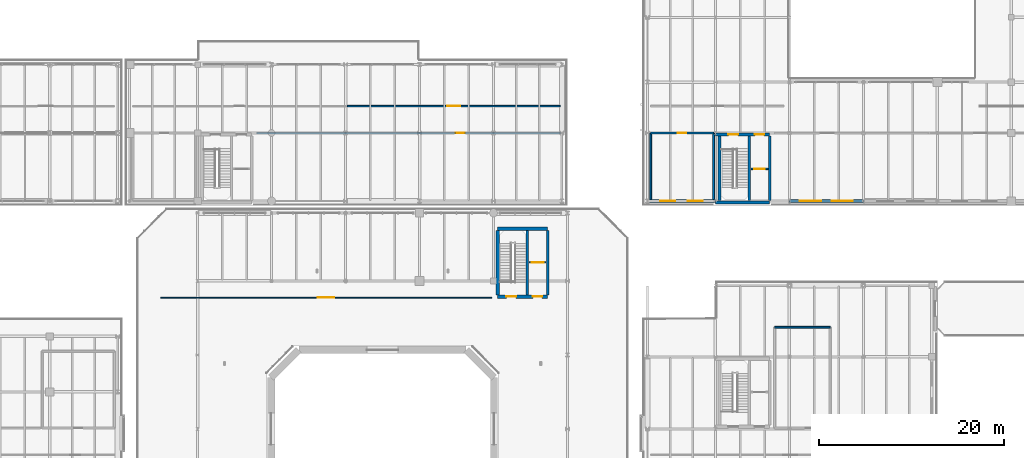
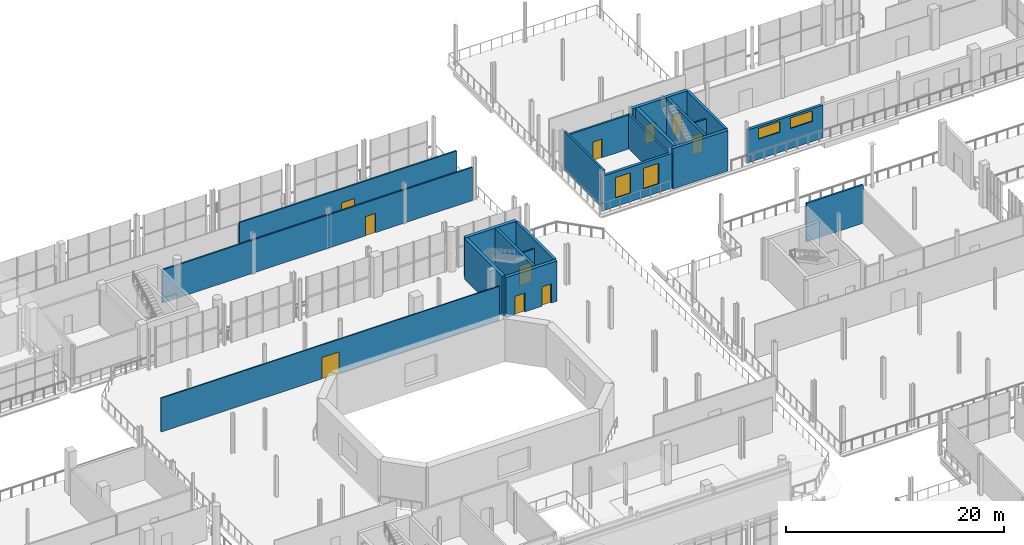
# One storey, part 73 of 93: 21 walls, 10 doors, 4 windows, 14 openings.
"""IFC4 building model written with IfcOpenShell, lengths in metres."""

from ifc_helpers import new_model, si_unit, direction, frame, frame_2d, origin, place, context, subcontext, project, spatial, rectangle, extrude, material, layer, layer_set, type_object, element, fill, save


model = new_model("IFC4")

# Units and contexts
model_context = context("Model", 3, precision=1e-05, world=origin(), true_north=direction((0.0, 1.0)))
body_context = subcontext(model_context, "Body", "Model", "MODEL_VIEW")
ifc_project = project(units=[si_unit("LENGTHUNIT", "METRE"), si_unit("AREAUNIT", "SQUARE_METRE"), si_unit("VOLUMEUNIT", "CUBIC_METRE"), si_unit("PLANEANGLEUNIT", "RADIAN"), si_unit("MASSUNIT", "GRAM", prefix="KILO")], contexts=[model_context])

# Site, building, storey
site_placement = place(None, origin())
site = spatial("IfcSite", under=ifc_project, at=site_placement, CompositionType="ELEMENT")
building_placement = place(site_placement, origin())
building = spatial("IfcBuilding", under=site, at=building_placement, Name="Brisemont Oceanarium", CompositionType="ELEMENT")
storey_placement = place(building_placement, frame((0.0, 0.0, 5.39990234375)))
storey = spatial("IfcBuildingStorey", under=building, at=storey_placement, Name="L01", CompositionType="ELEMENT", Elevation=5.39990234375)

# Wall, openings, windows
ifc_material_1 = material(Name="Beaux-Arts Limestone Cladding Precast Concrete C40/50", Category="masonry")
ifc_layer_1 = layer(ifc_material_1, 0.280029296875)
ifc_layer_set_1 = layer_set([ifc_layer_1], Name="Beaux-Arts Limestone Cladding Precast Concrete C40/50")
wall_type_1 = type_object("IfcWallType", Name="EW-LIME-280", PredefinedType="STANDARD", material=ifc_layer_set_1)
wall_1_placement = place(storey_placement, frame((112.64990234375, 80.64990234375, 0.0), z_axis=(0.0, 0.0, 1.0), x_axis=(1.0, 0.0, 0.0)))
wall_1 = element("IfcWall", 1, at=wall_1_placement, inside=storey, type_object=wall_type_1, Name="Beaux-Arts exterior wall EW-V6S-L01-1", PredefinedType="STANDARD", context=body_context, shape_type="SweptSolid", body=[
    extrude(rectangle(XDim=7.35009765625, YDim=0.280029296875, at=frame_2d((3.675048828125, 0.0))), origin(), (0.0, 0.0, 1.0), 3.8720703125),
])
opening_1_placement = place(wall_1_placement, frame((1.38330078125, 0.0, 0.949951171875)))
opening_1 = element("IfcOpeningElement", 2, at=opening_1_placement, cuts=wall_1, Name="Opening WIN-05", PredefinedType="OPENING", context=body_context, shape_type="SweptSolid", body=[
    extrude(rectangle(XDim=1.60009765625, YDim=2.300048828125, at=frame_2d((0.800048828125, 1.14990234375))), frame((0.0, 0.14990234375, 0.0), z_axis=(0.0, -1.0, 0.0), x_axis=(1.0, 0.0, 0.0)), (0.0, 0.0, 1.0), 0.300048828125),
])
opening_2_placement = place(wall_1_placement, frame((4.36669921875, 0.0, 0.949951171875)))
opening_2 = element("IfcOpeningElement", 3, at=opening_2_placement, cuts=wall_1, Name="Opening WIN-05", PredefinedType="OPENING", context=body_context, shape_type="SweptSolid", body=[
    extrude(rectangle(XDim=1.60009765625, YDim=2.300048828125, at=frame_2d((0.800048828125, 1.14990234375))), frame((0.0, 0.14990234375, 0.0), z_axis=(0.0, -1.0, 0.0), x_axis=(1.0, 0.0, 0.0)), (0.0, 0.0, 1.0), 0.300048828125),
])
ifc_material_2 = material(Name="Insulated Low-E Laminated Glass", Category="glass")
window_type_1 = type_object("IfcWindowType", Name="WIN-BA-1600X2300", PartitioningType="SINGLE_PANEL", PredefinedType="WINDOW", material=ifc_material_2)
window_1_placement = place(opening_1_placement, origin())
window_1 = element("IfcWindow", 4, at=window_1_placement, inside=storey, type_object=window_type_1, Name="WIN-05 facade window 59", OverallHeight=2.300048828125, OverallWidth=1.60009765625, PartitioningType="SINGLE_PANEL", PredefinedType="WINDOW", context=body_context, shape_type="SweptSolid", body=[
    extrude(rectangle(XDim=1.60009765625, YDim=2.300048828125, at=frame_2d((0.800048828125, 1.14990234375))), frame((0.0, 0.030029296875, 0.0), z_axis=(0.0, -1.0, 0.0), x_axis=(1.0, 0.0, 0.0)), (0.0, 0.0, 1.0), 0.06005859375),
])
fill(opening_1, window_1)
window_2_placement = place(opening_2_placement, origin())
window_2 = element("IfcWindow", 5, at=window_2_placement, inside=storey, type_object=window_type_1, Name="WIN-05 facade window 60", OverallHeight=2.300048828125, OverallWidth=1.60009765625, PartitioningType="SINGLE_PANEL", PredefinedType="WINDOW", context=body_context, shape_type="SweptSolid", body=[
    extrude(rectangle(XDim=1.60009765625, YDim=2.300048828125, at=frame_2d((0.800048828125, 1.14990234375))), frame((0.0, 0.030029296875, 0.0), z_axis=(0.0, -1.0, 0.0), x_axis=(1.0, 0.0, 0.0)), (0.0, 0.0, 1.0), 0.06005859375),
])
fill(opening_2, window_2)

wall_2_placement = place(storey_placement, frame((128.0, 80.64990234375, 0.0), z_axis=(0.0, 0.0, 1.0), x_axis=(1.0, 0.0, 0.0)))
wall_2 = element("IfcWall", 6, at=wall_2_placement, inside=storey, type_object=wall_type_1, Name="Beaux-Arts exterior wall EW-V6S-L01-3", PredefinedType="STANDARD", context=body_context, shape_type="SweptSolid", body=[
    extrude(rectangle(XDim=8.0, YDim=0.280029296875, at=frame_2d((4.0, 0.0))), origin(), (0.0, 0.0, 1.0), 3.68017578125),
])
opening_3_placement = place(wall_2_placement, frame((1.13330078125, 0.0, 2.25)))
opening_3 = element("IfcOpeningElement", 7, at=opening_3_placement, cuts=wall_2, Name="Opening WIN-13", PredefinedType="OPENING", context=body_context, shape_type="SweptSolid", body=[
    extrude(rectangle(XDim=2.300048828125, YDim=1.199951171875, at=frame_2d((1.14990234375, 0.60009765625))), frame((0.0, 0.14990234375, 0.0), z_axis=(0.0, -1.0, 0.0), x_axis=(1.0, 0.0, 0.0)), (0.0, 0.0, 1.0), 0.300048828125),
])
opening_4_placement = place(wall_2_placement, frame((4.566650390625, 0.0, 2.25)))
opening_4 = element("IfcOpeningElement", 8, at=opening_4_placement, cuts=wall_2, Name="Opening WIN-13", PredefinedType="OPENING", context=body_context, shape_type="SweptSolid", body=[
    extrude(rectangle(XDim=2.300048828125, YDim=1.199951171875, at=frame_2d((1.14990234375, 0.60009765625))), frame((0.0, 0.14990234375, 0.0), z_axis=(0.0, -1.0, 0.0), x_axis=(1.0, 0.0, 0.0)), (0.0, 0.0, 1.0), 0.300048828125),
])
ifc_material_3 = material(Name="Insulated Low-E Laminated Glass", Category="glass")
window_type_2 = type_object("IfcWindowType", Name="WIN-CLR-2300X1200", PartitioningType="SINGLE_PANEL", PredefinedType="WINDOW", material=ifc_material_3)
window_3_placement = place(opening_3_placement, origin())
window_3 = element("IfcWindow", 9, at=window_3_placement, inside=storey, type_object=window_type_2, Name="WIN-13 facade window 67", OverallHeight=1.199951171875, OverallWidth=2.300048828125, PartitioningType="SINGLE_PANEL", PredefinedType="WINDOW", context=body_context, shape_type="SweptSolid", body=[
    extrude(rectangle(XDim=2.300048828125, YDim=1.199951171875, at=frame_2d((1.14990234375, 0.60009765625))), frame((0.0, 0.030029296875, 0.0), z_axis=(0.0, -1.0, 0.0), x_axis=(1.0, 0.0, 0.0)), (0.0, 0.0, 1.0), 0.06005859375),
])
fill(opening_3, window_3)
window_4_placement = place(opening_4_placement, origin())
window_4 = element("IfcWindow", 10, at=window_4_placement, inside=storey, type_object=window_type_2, Name="WIN-13 facade window 68", OverallHeight=1.199951171875, OverallWidth=2.300048828125, PartitioningType="SINGLE_PANEL", PredefinedType="WINDOW", context=body_context, shape_type="SweptSolid", body=[
    extrude(rectangle(XDim=2.300048828125, YDim=1.199951171875, at=frame_2d((1.14990234375, 0.60009765625))), frame((0.0, 0.030029296875, 0.0), z_axis=(0.0, -1.0, 0.0), x_axis=(1.0, 0.0, 0.0)), (0.0, 0.0, 1.0), 0.06005859375),
])
fill(opening_4, window_4)

# Wall, opening, door
ifc_material_4 = material(Name="Moisture-Resistant Gypsum Steel-Stud Partition", Category="steel")
ifc_layer_2 = layer(ifc_material_4, 0.159912109375)
ifc_layer_set_2 = layer_set([ifc_layer_2], Name="Moisture-Resistant Gypsum Steel-Stud Partition")
wall_type_2 = type_object("IfcWallType", Name="IW-FB-160", PredefinedType="PARTITIONING", material=ifc_layer_set_2)
wall_3_placement = place(storey_placement, frame((99.85009765625, 74.02001953125, 0.0), z_axis=(0.0, 0.0, 1.0), x_axis=(1.0, 0.0, 0.0)))
wall_3 = element("IfcWall", 11, at=wall_3_placement, inside=storey, type_object=wall_type_2, Name="Core C2 L01 lift hoistway front wall", PredefinedType="PARTITIONING", context=body_context, shape_type="SweptSolid", body=[
    extrude(rectangle(XDim=1.83984375, YDim=0.159912109375, at=frame_2d((0.919921875, 0.0))), origin(), (0.0, 0.0, 1.0), 3.60009765625),
])
opening_5_placement = place(wall_3_placement, frame((0.27001953125, 0.0, 0.0)))
opening_5 = element("IfcOpeningElement", 12, at=opening_5_placement, cuts=wall_3, Name="Opening LD-02", PredefinedType="OPENING", context=body_context, shape_type="SweptSolid", body=[
    extrude(rectangle(XDim=1.300048828125, YDim=2.199951171875, at=frame_2d((0.64990234375, 1.10009765625))), frame((0.0, 0.08984375, 0.0), z_axis=(0.0, -1.0, 0.0), x_axis=(1.0, 0.0, 0.0)), (0.0, 0.0, 1.0), 0.179931640625),
])
ifc_material_5 = material(Name="Duplex Stainless Steel EN 1.4462", Category="steel")
door_type_1 = type_object("IfcDoorType", Name="DR-LIFT-1300X2200", OperationType="NOTDEFINED", PredefinedType="DOOR", material=ifc_material_5)
door_1_placement = place(opening_5_placement, origin())
door_1 = element("IfcDoor", 13, at=door_1_placement, inside=storey, type_object=door_type_1, Name="Lift landing door LF-02 L01", OperationType="SLIDING_TO_LEFT", OverallHeight=2.199951171875, OverallWidth=1.300048828125, PredefinedType="DOOR", context=body_context, shape_type="SweptSolid", body=[
    extrude(rectangle(XDim=1.300048828125, YDim=2.199951171875, at=frame_2d((0.64990234375, 1.10009765625))), frame((0.0, 0.02490234375, 0.0), z_axis=(0.0, -1.0, 0.0), x_axis=(1.0, 0.0, 0.0)), (0.0, 0.0, 1.0), 0.050048828125),
])
fill(opening_5, door_1)

wall_4_placement = place(storey_placement, frame((123.85009765625, 84.1298828125, 0.0), z_axis=(0.0, 0.0, 1.0), x_axis=(1.0, 0.0, 0.0)))
wall_4 = element("IfcWall", 14, at=wall_4_placement, inside=storey, type_object=wall_type_2, Name="Core C7 L01 lift hoistway front wall", PredefinedType="PARTITIONING", context=body_context, shape_type="SweptSolid", body=[
    extrude(rectangle(XDim=1.83984375, YDim=0.159912109375, at=frame_2d((0.919921875, 0.0))), origin(), (0.0, 0.0, 1.0), 3.60009765625),
])
opening_6_placement = place(wall_4_placement, frame((0.3701171875, 0.0, 0.0)))
opening_6 = element("IfcOpeningElement", 15, at=opening_6_placement, cuts=wall_4, Name="Opening LD-01", PredefinedType="OPENING", context=body_context, shape_type="SweptSolid", body=[
    extrude(rectangle(XDim=1.10009765625, YDim=2.14990234375, at=frame_2d((0.550048828125, 1.074951171875))), frame((0.0, 0.08984375, 0.0), z_axis=(0.0, -1.0, 0.0), x_axis=(1.0, 0.0, 0.0)), (0.0, 0.0, 1.0), 0.179931640625),
])
ifc_material_6 = material(Name="Duplex Stainless Steel EN 1.4462", Category="steel")
door_type_2 = type_object("IfcDoorType", Name="DR-LIFT-1100X2150", OperationType="NOTDEFINED", PredefinedType="DOOR", material=ifc_material_6)
door_2_placement = place(opening_6_placement, origin())
door_2 = element("IfcDoor", 16, at=door_2_placement, inside=storey, type_object=door_type_2, Name="Lift landing door LF-07 L01", OperationType="SLIDING_TO_LEFT", OverallHeight=2.14990234375, OverallWidth=1.10009765625, PredefinedType="DOOR", context=body_context, shape_type="SweptSolid", body=[
    extrude(rectangle(XDim=1.10009765625, YDim=2.14990234375, at=frame_2d((0.550048828125, 1.074951171875))), frame((0.0, 0.02490234375, 0.0), z_axis=(0.0, -1.0, 0.0), x_axis=(1.0, 0.0, 0.0)), (0.0, 0.0, 1.0), 0.050048828125),
])
fill(opening_6, door_2)

wall_5_placement = place(storey_placement, frame((70.39990234375, 88.0, 0.0), z_axis=(0.0, 0.0, 1.0), x_axis=(1.0, 0.0, 0.0)))
wall_5 = element("IfcWall", 17, at=wall_5_placement, inside=storey, type_object=wall_type_2, Name="Life Support Gravity Head Tank Hall corridor partition", PredefinedType="PARTITIONING", context=body_context, shape_type="SweptSolid", body=[
    extrude(rectangle(XDim=32.800048828125, YDim=0.159912109375, at=frame_2d((16.39990234375, 0.0))), origin(), (0.0, 0.0, 1.0), 3.718017578125),
])
opening_7_placement = place(wall_5_placement, frame((21.4951171875, 0.0, 0.0)))
opening_7 = element("IfcOpeningElement", 18, at=opening_7_placement, cuts=wall_5, Name="Opening D-01", PredefinedType="OPENING", context=body_context, shape_type="SweptSolid", body=[
    extrude(rectangle(XDim=1.02001953125, YDim=2.14990234375, at=frame_2d((0.510009765625, 1.074951171875))), frame((0.0, 0.08984375, 0.0), z_axis=(0.0, -1.0, 0.0), x_axis=(1.0, 0.0, 0.0)), (0.0, 0.0, 1.0), 0.179931640625),
])
ifc_material_7 = material(Name="FSC White Oak Solid-Core Fire Door")
door_type_3 = type_object("IfcDoorType", Name="DR-RM-1020X2150", OperationType="NOTDEFINED", PredefinedType="DOOR", material=ifc_material_7)
door_3_placement = place(opening_7_placement, origin())
door_3 = element("IfcDoor", 19, at=door_3_placement, inside=storey, type_object=door_type_3, Name="D-01 door to Life Support Gravity Head Tank Hall", OperationType="SINGLE_SWING_RIGHT", OverallHeight=2.14990234375, OverallWidth=1.02001953125, PredefinedType="DOOR", context=body_context, shape_type="SweptSolid", body=[
    extrude(rectangle(XDim=1.02001953125, YDim=2.14990234375, at=frame_2d((0.510009765625, 1.074951171875))), frame((0.0, 0.02490234375, 0.0), z_axis=(0.0, -1.0, 0.0), x_axis=(1.0, 0.0, 0.0)), (0.0, 0.0, 1.0), 0.050048828125),
])
fill(opening_7, door_3)

wall_6_placement = place(storey_placement, frame((80.199951171875, 90.89990234375, 0.0), z_axis=(0.0, 0.0, 1.0), x_axis=(1.0, 0.0, 0.0)))
wall_6 = element("IfcWall", 20, at=wall_6_placement, inside=storey, type_object=wall_type_2, Name="Life Support Automated Dosing Plant corridor partition", PredefinedType="PARTITIONING", context=body_context, shape_type="SweptSolid", body=[
    extrude(rectangle(XDim=23.0, YDim=0.159912109375, at=frame_2d((11.5, 0.0))), origin(), (0.0, 0.0, 1.0), 3.797119140625),
])
opening_8_placement = place(wall_6_placement, frame((10.81005859375, 0.0, 0.0)))
opening_8 = element("IfcOpeningElement", 21, at=opening_8_placement, cuts=wall_6, Name="Opening PD-01", PredefinedType="OPENING", context=body_context, shape_type="SweptSolid", body=[
    extrude(rectangle(XDim=1.3798828125, YDim=2.25, at=frame_2d((0.68994140625, 1.125))), frame((0.0, 0.08984375, 0.0), z_axis=(0.0, -1.0, 0.0), x_axis=(1.0, 0.0, 0.0)), (0.0, 0.0, 1.0), 0.179931640625),
])
ifc_material_8 = material(Name="Duplex Stainless Steel EN 1.4462", Category="steel")
door_type_4 = type_object("IfcDoorType", Name="DR-PLT-1380X2250", OperationType="NOTDEFINED", PredefinedType="DOOR", material=ifc_material_8)
door_4_placement = place(opening_8_placement, origin())
door_4 = element("IfcDoor", 22, at=door_4_placement, inside=storey, type_object=door_type_4, Name="PD-01 door to Life Support Automated Dosing Plant", OperationType="SINGLE_SWING_RIGHT", OverallHeight=2.25, OverallWidth=1.3798828125, PredefinedType="DOOR", context=body_context, shape_type="SweptSolid", body=[
    extrude(rectangle(XDim=1.3798828125, YDim=2.25, at=frame_2d((0.68994140625, 1.125))), frame((0.0, 0.02490234375, 0.0), z_axis=(0.0, -1.0, 0.0), x_axis=(1.0, 0.0, 0.0)), (0.0, 0.0, 1.0), 0.050048828125),
])
fill(opening_8, door_4)

ifc_material_9 = material(Name="Moisture-Resistant Gypsum Steel-Stud Partition", Category="steel")
ifc_layer_3 = layer(ifc_material_9, 0.1201171875)
ifc_layer_set_3 = layer_set([ifc_layer_3], Name="Moisture-Resistant Gypsum Steel-Stud Partition")
wall_type_3 = type_object("IfcWallType", Name="IW-PART-120", PredefinedType="PARTITIONING", material=ifc_layer_set_3)
wall_7_placement = place(storey_placement, frame((60.0, 70.199951171875, 0.0), z_axis=(0.0, 0.0, 1.0), x_axis=(1.0, 0.0, 0.0)))
wall_7 = element("IfcWall", 23, at=wall_7_placement, inside=storey, type_object=wall_type_3, Name="Ocean Tank Acoustic Hydrophone Exhibit Gallery corridor partition", PredefinedType="PARTITIONING", context=body_context, shape_type="SweptSolid", body=[
    extrude(rectangle(XDim=35.800048828125, YDim=0.1201171875, at=frame_2d((17.89990234375, 0.0))), origin(), (0.0, 0.0, 1.0), 3.797119140625),
])
opening_9_placement = place(wall_7_placement, frame((17.0, 0.0, 0.0)))
opening_9 = element("IfcOpeningElement", 24, at=opening_9_placement, cuts=wall_7, Name="Opening GD-01", PredefinedType="OPENING", context=body_context, shape_type="SweptSolid", body=[
    extrude(rectangle(XDim=1.800048828125, YDim=2.39990234375, at=frame_2d((0.89990234375, 1.199951171875))), frame((0.0, 0.070068359375, 0.0), z_axis=(0.0, -1.0, 0.0), x_axis=(1.0, 0.0, 0.0)), (0.0, 0.0, 1.0), 0.14013671875),
])
ifc_material_10 = material(Name="Patinated Architectural Bronze C38500")
door_type_5 = type_object("IfcDoorType", Name="DR-GAL-1800X2400", OperationType="NOTDEFINED", PredefinedType="DOOR", material=ifc_material_10)
door_5_placement = place(opening_9_placement, origin())
door_5 = element("IfcDoor", 25, at=door_5_placement, inside=storey, type_object=door_type_5, Name="GD-01 door to Ocean Tank Acoustic Hydrophone Exhibit Gallery", OperationType="SINGLE_SWING_LEFT", OverallHeight=2.39990234375, OverallWidth=1.800048828125, PredefinedType="DOOR", context=body_context, shape_type="SweptSolid", body=[
    extrude(rectangle(XDim=1.800048828125, YDim=2.39990234375, at=frame_2d((0.89990234375, 1.199951171875))), frame((0.0, 0.02490234375, 0.0), z_axis=(0.0, -1.0, 0.0), x_axis=(1.0, 0.0, 0.0)), (0.0, 0.0, 1.0), 0.050048828125),
])
fill(opening_9, door_5)

# Wall
ifc_material_11 = material(Name="Cementitious Tile-Backer Plumbing Wall")
ifc_layer_4 = layer(ifc_material_11, 0.199951171875)
ifc_layer_set_4 = layer_set([ifc_layer_4], Name="Cementitious Tile-Backer Plumbing Wall")
wall_type_4 = type_object("IfcWallType", Name="IW-PLUMB-200", PredefinedType="PLUMBINGWALL", material=ifc_layer_set_4)
wall_8_placement = place(storey_placement, frame((126.39990234375, 67.0, 0.0), z_axis=(0.0, 0.0, 1.0), x_axis=(1.0, 0.0, 0.0)))
element("IfcWall", 26, at=wall_8_placement, inside=storey, type_object=wall_type_4, Name="Public Restroom enclosure wall N", PredefinedType="PLUMBINGWALL", context=body_context, shape_type="SweptSolid", body=[
    extrude(rectangle(XDim=6.0, YDim=0.199951171875, at=frame_2d((3.0, 0.0))), origin(), (0.0, 0.0, 1.0), 4.2900390625),
])

# Wall, opening, door
wall_9_placement = place(storey_placement, frame((113.0, 88.0, 0.0), z_axis=(0.0, 0.0, 1.0), x_axis=(1.0, 0.0, 0.0)))
wall_9 = element("IfcWall", 27, at=wall_9_placement, inside=storey, type_object=wall_type_4, Name="Accessible WC corridor partition", PredefinedType="PLUMBINGWALL", context=body_context, shape_type="SweptSolid", body=[
    extrude(rectangle(XDim=6.800048828125, YDim=0.199951171875, at=frame_2d((3.39990234375, 0.0))), origin(), (0.0, 0.0, 1.0), 3.802001953125),
])
opening_10_placement = place(wall_9_placement, frame((2.945068359375, 0.0, 0.0)))
opening_10 = element("IfcOpeningElement", 28, at=opening_10_placement, cuts=wall_9, Name="Opening D-03", PredefinedType="OPENING", context=body_context, shape_type="SweptSolid", body=[
    extrude(rectangle(XDim=0.909912109375, YDim=2.10009765625, at=frame_2d((0.455078125, 1.050048828125))), frame((0.0, 0.10986328125, 0.0), z_axis=(0.0, -1.0, 0.0), x_axis=(1.0, 0.0, 0.0)), (0.0, 0.0, 1.0), 0.219970703125),
])
ifc_material_12 = material(Name="FSC White Oak Solid-Core Fire Door")
door_type_6 = type_object("IfcDoorType", Name="DR-WC-910X2100", OperationType="NOTDEFINED", PredefinedType="DOOR", material=ifc_material_12)
door_6_placement = place(opening_10_placement, origin())
door_6 = element("IfcDoor", 29, at=door_6_placement, inside=storey, type_object=door_type_6, Name="D-03 door to Accessible WC", OperationType="SINGLE_SWING_LEFT", OverallHeight=2.10009765625, OverallWidth=0.909912109375, PredefinedType="DOOR", context=body_context, shape_type="SweptSolid", body=[
    extrude(rectangle(XDim=0.909912109375, YDim=2.10009765625, at=frame_2d((0.455078125, 1.050048828125))), frame((0.0, 0.02490234375, 0.0), z_axis=(0.0, -1.0, 0.0), x_axis=(1.0, 0.0, 0.0)), (0.0, 0.0, 1.0), 0.050048828125),
])
fill(opening_10, door_6)

# Walls
wall_10_placement = place(storey_placement, frame((113.0, 80.800048828125, 0.0), z_axis=(0.0, 0.0, 1.0), x_axis=(0.0, 1.0, 0.0)))
element("IfcWall", 30, at=wall_10_placement, inside=storey, type_object=wall_type_4, Name="Accessible WC enclosure wall W", PredefinedType="PLUMBINGWALL", context=body_context, shape_type="SweptSolid", body=[
    extrude(rectangle(XDim=7.199951171875, YDim=0.199951171875, at=frame_2d((3.60009765625, 0.0))), origin(), (0.0, 0.0, 1.0), 4.2900390625),
])
wall_11_placement = place(storey_placement, frame((119.800048828125, 80.800048828125, 0.0), z_axis=(0.0, 0.0, 1.0), x_axis=(0.0, 1.0, 0.0)))
element("IfcWall", 31, at=wall_11_placement, inside=storey, type_object=wall_type_4, Name="Accessible WC enclosure wall E", PredefinedType="PLUMBINGWALL", context=body_context, shape_type="SweptSolid", body=[
    extrude(rectangle(XDim=7.199951171875, YDim=0.199951171875, at=frame_2d((3.60009765625, 0.0))), origin(), (0.0, 0.0, 1.0), 3.8720703125),
])
ifc_material_13 = material(Name="Concrete C40/50", Category="concrete")
ifc_layer_5 = layer(ifc_material_13, 0.260009765625)
ifc_layer_set_5 = layer_set([ifc_layer_5], Name="Concrete C40/50")
wall_type_5 = type_object("IfcWallType", Name="SW-SHAFT-260", PredefinedType="SHEAR", material=ifc_layer_set_5)
for number, where, z_axis, x_axis, name in (
    (32, (101.85009765625, 70.5, 0.0), (0.0, 0.0, 1.0), (0.0, 1.0, 0.0), "Core C2 L01 E RC shear wall"),
    (33, (99.669921875, 70.5, 0.0), (0.0, 0.0, 1.0), (0.0, 1.0, 0.0), "Core C2 L01 MID RC shear wall"),
    (34, (125.85009765625, 80.699951171875, 0.0), (0.0, 0.0, 1.0), (0.0, 1.0, 0.0), "Core C7 L01 E RC shear wall"),
    (35, (123.669921875, 80.699951171875, 0.0), (0.0, 0.0, 1.0), (0.0, 1.0, 0.0), "Core C7 L01 MID RC shear wall"),
):
    element("IfcWall", number, at=place(storey_placement, frame(where, z_axis=z_axis, x_axis=x_axis)), inside=storey, type_object=wall_type_5, Name=name, PredefinedType="SHEAR", context=body_context, shape_type="SweptSolid", body=[
        extrude(rectangle(XDim=6.949951171875, YDim=0.260009765625, at=frame_2d((3.47509765625, 0.0))), origin(), (0.0, 0.0, 1.0), 4.510009765625),
    ])

# Wall, openings, doors
ifc_material_14 = material(Name="Concrete C40/50", Category="concrete")
ifc_layer_6 = layer(ifc_material_14, 0.35009765625)
ifc_layer_set_6 = layer_set([ifc_layer_6], Name="Concrete C40/50")
wall_type_6 = type_object("IfcWallType", Name="SW-STAIR-350", PredefinedType="SHEAR", material=ifc_layer_set_6)
wall_12_placement = place(storey_placement, frame((96.449951171875, 70.300048828125, 0.0), z_axis=(0.0, 0.0, 1.0), x_axis=(1.0, 0.0, 0.0)))
wall_12 = element("IfcWall", 36, at=wall_12_placement, inside=storey, type_object=wall_type_6, Name="Core C2 L01 corridor RC shear wall", PredefinedType="SHEAR", context=body_context, shape_type="SweptSolid", body=[
    extrude(rectangle(XDim=5.400146484375, YDim=0.35009765625, at=frame_2d((2.7001953125, 0.0))), origin(), (0.0, 0.0, 1.0), 4.510009765625),
])
opening_11_placement = place(wall_12_placement, frame((0.949951171875, 0.0, 0.0)))
opening_11 = element("IfcOpeningElement", 37, at=opening_11_placement, cuts=wall_12, Name="Opening SD-02", PredefinedType="OPENING", context=body_context, shape_type="SweptSolid", body=[
    extrude(rectangle(XDim=1.050048828125, YDim=2.10009765625, at=frame_2d((0.52490234375, 1.050048828125))), frame((0.0, 0.18505859375, 0.0), z_axis=(0.0, -1.0, 0.0), x_axis=(1.0, 0.0, 0.0)), (0.0, 0.0, 1.0), 0.3701171875),
])
opening_12_placement = place(wall_12_placement, frame((3.800048828125, 0.0, 0.0)))
opening_12 = element("IfcOpeningElement", 38, at=opening_12_placement, cuts=wall_12, Name="Opening FD90-2", PredefinedType="OPENING", context=body_context, shape_type="SweptSolid", body=[
    extrude(rectangle(XDim=1.0, YDim=2.14990234375, at=frame_2d((0.5, 1.074951171875))), frame((0.0, 0.18505859375, 0.0), z_axis=(0.0, -1.0, 0.0), x_axis=(1.0, 0.0, 0.0)), (0.0, 0.0, 1.0), 0.3701171875),
])
ifc_material_15 = material(Name="FSC White Oak Solid-Core Fire Door")
door_type_7 = type_object("IfcDoorType", Name="DR-LOB-1000X2150", OperationType="NOTDEFINED", PredefinedType="DOOR", material=ifc_material_15)
door_7_placement = place(opening_12_placement, origin())
door_7 = element("IfcDoor", 39, at=door_7_placement, inside=storey, type_object=door_type_7, Name="Lift lobby door C2 L01", OperationType="SINGLE_SWING_LEFT", OverallHeight=2.14990234375, OverallWidth=1.0, PredefinedType="DOOR", context=body_context, shape_type="SweptSolid", body=[
    extrude(rectangle(XDim=1.0, YDim=2.14990234375, at=frame_2d((0.5, 1.074951171875))), frame((0.0, 0.02490234375, 0.0), z_axis=(0.0, -1.0, 0.0), x_axis=(1.0, 0.0, 0.0)), (0.0, 0.0, 1.0), 0.050048828125),
])
fill(opening_12, door_7)
ifc_material_16 = material(Name="Duplex Stainless Steel EN 1.4462", Category="steel")
door_type_8 = type_object("IfcDoorType", Name="DR-STAIR-1050X2100", OperationType="NOTDEFINED", PredefinedType="DOOR", material=ifc_material_16)
door_8_placement = place(opening_11_placement, origin())
door_8 = element("IfcDoor", 40, at=door_8_placement, inside=storey, type_object=door_type_8, Name="Exit stair door ST-02 L01", OperationType="SINGLE_SWING_RIGHT", OverallHeight=2.10009765625, OverallWidth=1.050048828125, PredefinedType="DOOR", context=body_context, shape_type="SweptSolid", body=[
    extrude(rectangle(XDim=1.050048828125, YDim=2.10009765625, at=frame_2d((0.52490234375, 1.050048828125))), frame((0.0, 0.02490234375, 0.0), z_axis=(0.0, -1.0, 0.0), x_axis=(1.0, 0.0, 0.0)), (0.0, 0.0, 1.0), 0.050048828125),
])
fill(opening_11, door_8)

# Walls
wall_13_placement = place(storey_placement, frame((96.449951171875, 77.64990234375, 0.0), z_axis=(0.0, 0.0, 1.0), x_axis=(1.0, 0.0, 0.0)))
element("IfcWall", 41, at=wall_13_placement, inside=storey, type_object=wall_type_6, Name="Core C2 L01 BCK RC shear wall", PredefinedType="SHEAR", context=body_context, shape_type="SweptSolid", body=[
    extrude(rectangle(XDim=5.400146484375, YDim=0.35009765625, at=frame_2d((2.7001953125, 0.0))), origin(), (0.0, 0.0, 1.0), 4.510009765625),
])
wall_14_placement = place(storey_placement, frame((96.449951171875, 70.5, 0.0), z_axis=(0.0, 0.0, 1.0), x_axis=(0.0, 1.0, 0.0)))
element("IfcWall", 42, at=wall_14_placement, inside=storey, type_object=wall_type_6, Name="Core C2 L01 W RC shear wall", PredefinedType="SHEAR", context=body_context, shape_type="SweptSolid", body=[
    extrude(rectangle(XDim=6.949951171875, YDim=0.35009765625, at=frame_2d((3.47509765625, 0.0))), origin(), (0.0, 0.0, 1.0), 4.510009765625),
])

# Wall, openings, doors
wall_15_placement = place(storey_placement, frame((120.0, 87.85009765625, 0.0), z_axis=(0.0, 0.0, 1.0), x_axis=(1.0, 0.0, 0.0)))
wall_15 = element("IfcWall", 43, at=wall_15_placement, inside=storey, type_object=wall_type_6, Name="Core C7 L01 corridor RC shear wall", PredefinedType="SHEAR", context=body_context, shape_type="SweptSolid", body=[
    extrude(rectangle(XDim=5.85009765625, YDim=0.35009765625, at=frame_2d((2.925048828125, 0.0))), origin(), (0.0, 0.0, 1.0), 4.510009765625),
])
opening_13_placement = place(wall_15_placement, frame((1.39990234375, 0.0, 0.0)))
opening_13 = element("IfcOpeningElement", 44, at=opening_13_placement, cuts=wall_15, Name="Opening SD-02", PredefinedType="OPENING", context=body_context, shape_type="SweptSolid", body=[
    extrude(rectangle(XDim=1.050048828125, YDim=2.10009765625, at=frame_2d((0.52490234375, 1.050048828125))), frame((0.0, 0.18505859375, 0.0), z_axis=(0.0, -1.0, 0.0), x_axis=(1.0, 0.0, 0.0)), (0.0, 0.0, 1.0), 0.3701171875),
])
opening_14_placement = place(wall_15_placement, frame((4.25, 0.0, 0.0)))
opening_14 = element("IfcOpeningElement", 45, at=opening_14_placement, cuts=wall_15, Name="Opening FD90-2", PredefinedType="OPENING", context=body_context, shape_type="SweptSolid", body=[
    extrude(rectangle(XDim=1.0, YDim=2.14990234375, at=frame_2d((0.5, 1.074951171875))), frame((0.0, 0.18505859375, 0.0), z_axis=(0.0, -1.0, 0.0), x_axis=(1.0, 0.0, 0.0)), (0.0, 0.0, 1.0), 0.3701171875),
])
door_9_placement = place(opening_14_placement, origin())
door_9 = element("IfcDoor", 46, at=door_9_placement, inside=storey, type_object=door_type_7, Name="Lift lobby door C7 L01", OperationType="SINGLE_SWING_RIGHT", OverallHeight=2.14990234375, OverallWidth=1.0, PredefinedType="DOOR", context=body_context, shape_type="SweptSolid", body=[
    extrude(rectangle(XDim=1.0, YDim=2.14990234375, at=frame_2d((0.5, 1.074951171875))), frame((0.0, 0.02490234375, 0.0), z_axis=(0.0, -1.0, 0.0), x_axis=(1.0, 0.0, 0.0)), (0.0, 0.0, 1.0), 0.050048828125),
])
fill(opening_14, door_9)
door_10_placement = place(opening_13_placement, origin())
door_10 = element("IfcDoor", 47, at=door_10_placement, inside=storey, type_object=door_type_8, Name="Exit stair door ST-07 L01", OperationType="SINGLE_SWING_LEFT", OverallHeight=2.10009765625, OverallWidth=1.050048828125, PredefinedType="DOOR", context=body_context, shape_type="SweptSolid", body=[
    extrude(rectangle(XDim=1.050048828125, YDim=2.10009765625, at=frame_2d((0.52490234375, 1.050048828125))), frame((0.0, 0.02490234375, 0.0), z_axis=(0.0, -1.0, 0.0), x_axis=(1.0, 0.0, 0.0)), (0.0, 0.0, 1.0), 0.050048828125),
])
fill(opening_13, door_10)

# Walls
wall_16_placement = place(storey_placement, frame((120.0, 80.5, 0.0), z_axis=(0.0, 0.0, 1.0), x_axis=(1.0, 0.0, 0.0)))
element("IfcWall", 48, at=wall_16_placement, inside=storey, type_object=wall_type_6, Name="Core C7 L01 BCK RC shear wall", PredefinedType="SHEAR", context=body_context, shape_type="SweptSolid", body=[
    extrude(rectangle(XDim=5.85009765625, YDim=0.35009765625, at=frame_2d((2.925048828125, 0.0))), origin(), (0.0, 0.0, 1.0), 4.510009765625),
])
wall_17_placement = place(storey_placement, frame((120.449951171875, 80.699951171875, 0.0), z_axis=(0.0, 0.0, 1.0), x_axis=(0.0, 1.0, 0.0)))
element("IfcWall", 49, at=wall_17_placement, inside=storey, type_object=wall_type_6, Name="Core C7 L01 W RC shear wall", PredefinedType="SHEAR", context=body_context, shape_type="SweptSolid", body=[
    extrude(rectangle(XDim=6.949951171875, YDim=0.35009765625, at=frame_2d((3.47509765625, 0.0))), origin(), (0.0, 0.0, 1.0), 4.510009765625),
])

save(model, "model.ifc")
